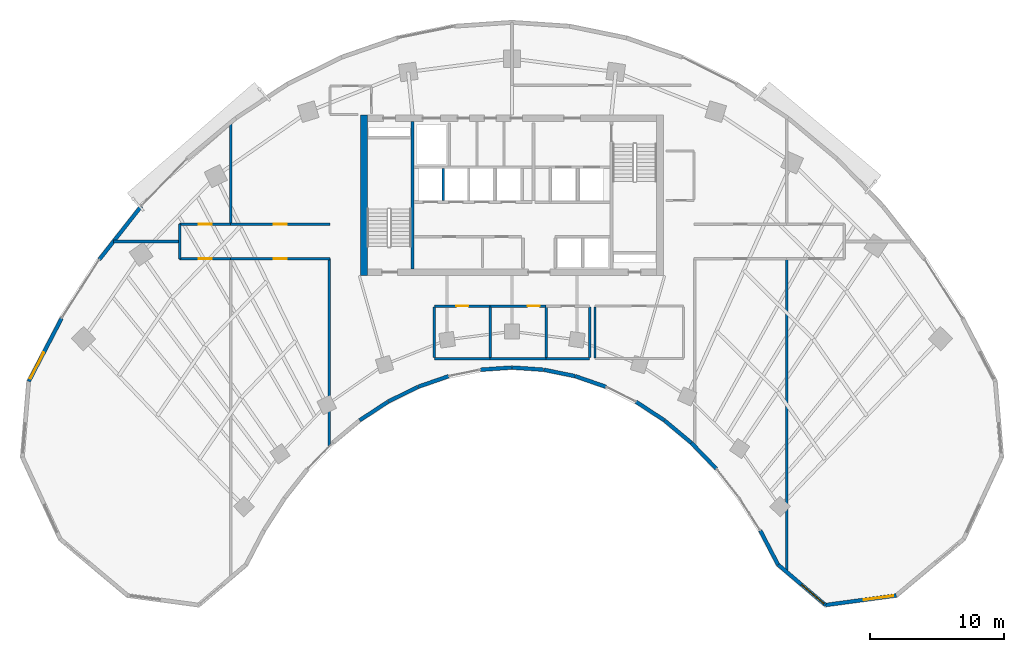
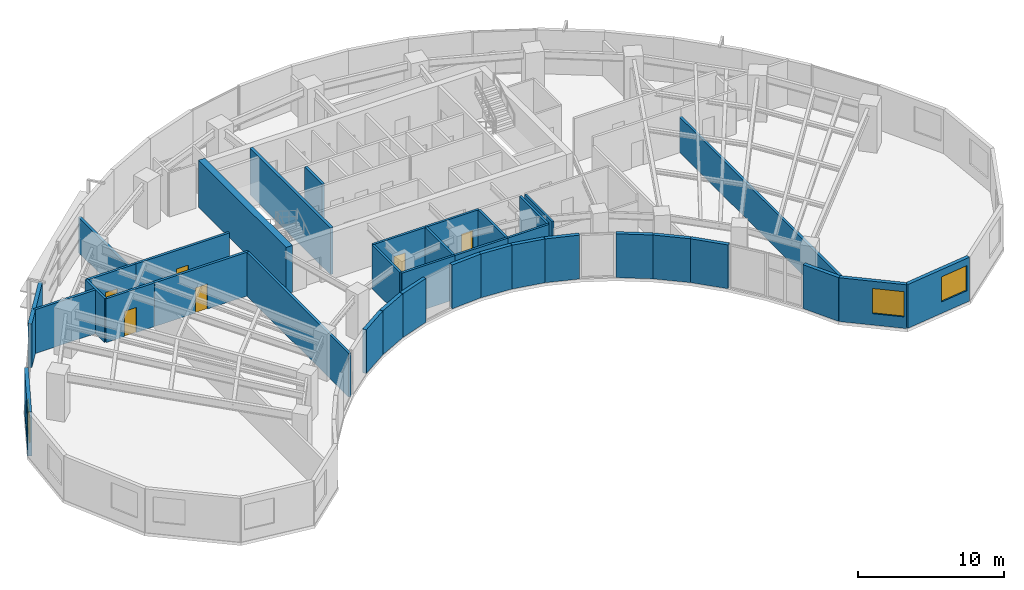
# One storey, part 8 of 14: 37 walls, 6 doors, 3 windows, 9 openings.
"""IFC4 building model written with IfcOpenShell, lengths in metres."""

import ifcopenshell
import ifcopenshell.guid

model = None  # the IFC model being written
_history = None  # IfcOwnerHistory: only IFC2X3 demands one
_inside = {}  # id of a spatial element -> (the spatial element, [elements in it])
_under = {}  # id of a project, library or spatial element -> (it, [spatial elements below it])
_declared = {}  # id of a project -> (the project, [libraries it declares])
_typed = {}  # id of a type object -> (the type object, [elements of that type])
_made_of = {}  # id of a material, layer set ... -> (it, [elements and type objects made of it])


def new_model(schema):
    """Start an empty IFC model of exactly this schema.

    Asked for "IFC4X3", IfcOpenShell would pick the latest addendum, in which some entities
    have other attributes; the version numbers below select the first issue.
    IFC2X3 requires an IfcOwnerHistory on every rooted entity: one is made here for all.
    """
    global model, _history
    if schema == "IFC4X3":
        model = ifcopenshell.file(schema_version=(4, 3, 0, 0))
    else:
        model = ifcopenshell.file(schema=schema)
    _inside.clear()
    _under.clear()
    _declared.clear()
    _typed.clear()
    _made_of.clear()
    _history = None
    if model.schema == "IFC2X3":
        org = make("IfcOrganization", Name="unknown")
        user = make(
            "IfcPersonAndOrganization",
            ThePerson=make("IfcPerson", FamilyName="unknown"),
            TheOrganization=org,
        )
        app = make(
            "IfcApplication",
            ApplicationDeveloper=org,
            Version="unknown",
            ApplicationFullName="unknown",
            ApplicationIdentifier="unknown",
        )
        _history = make(
            "IfcOwnerHistory",
            OwningUser=user,
            OwningApplication=app,
            ChangeAction="ADDED",
            CreationDate=0,
        )
    return model


def make(cls, **values):
    """One entity of the class cls with the attributes given. An attribute that is None is left unset."""
    return model.create_entity(
        cls, **{name: value for name, value in values.items() if value is not None}
    )


def rooted(cls, **values):
    """An entity with a GlobalId (a new one), such as an element, a storey or a relation."""
    return make(cls, GlobalId=ifcopenshell.guid.new(), OwnerHistory=_history, **values)


def si_unit(unit_type, name, prefix=None):
    """IfcSIUnit, for example si_unit("LENGTHUNIT", "METRE", prefix="MILLI")."""
    return make("IfcSIUnit", UnitType=unit_type, Prefix=prefix, Name=name)


def assignment(units):
    """IfcUnitAssignment: the units of a project."""
    return None if units is None else make("IfcUnitAssignment", Units=units)


def point(xyz):
    """IfcCartesianPoint."""
    return None if xyz is None else make("IfcCartesianPoint", Coordinates=xyz)


def direction(xyz):
    """IfcDirection."""
    return None if xyz is None else make("IfcDirection", DirectionRatios=xyz)


def frame(location, z_axis=None, x_axis=None):
    """IfcAxis2Placement3D, a coordinate frame: its origin and axes. An axis left out is left unset."""
    return make(
        "IfcAxis2Placement3D",
        Location=point(location),
        Axis=direction(z_axis),
        RefDirection=direction(x_axis),
    )


def frame_2d(location, x_axis=None):
    """IfcAxis2Placement2D, a coordinate frame in the plane: its origin and x axis."""
    return make(
        "IfcAxis2Placement2D", Location=point(location), RefDirection=direction(x_axis)
    )


def origin():
    """The frame at (0, 0, 0) with its axes left unset."""
    return frame((0.0, 0.0, 0.0))


def place(relative_to, where):
    """IfcLocalPlacement: puts the frame where relative to a parent placement (None: the world)."""
    return make(
        "IfcLocalPlacement", PlacementRelTo=relative_to, RelativePlacement=where
    )


def context(
    kind, dimensions, precision=None, world=None, true_north=None, identifier=None
):
    """IfcGeometricRepresentationContext, for example the 3D "Model" context."""
    return make(
        "IfcGeometricRepresentationContext",
        ContextIdentifier=identifier,
        ContextType=kind,
        CoordinateSpaceDimension=dimensions,
        Precision=precision,
        WorldCoordinateSystem=world,
        TrueNorth=true_north,
    )


def subcontext(parent, identifier, kind, view, scale=None):
    """IfcGeometricRepresentationSubContext, for example "Body" below "Model"."""
    return make(
        "IfcGeometricRepresentationSubContext",
        ContextIdentifier=identifier,
        ContextType=kind,
        ParentContext=parent,
        TargetScale=scale,
        TargetView=view,
    )


def project(units=None, contexts=None):
    """IfcProject with its units and contexts."""
    return rooted(
        "IfcProject",
        Name="project",
        RepresentationContexts=contexts,
        UnitsInContext=assignment(units),
    )


def spatial(cls, under=None, at=None, **own):
    """A site, building, storey or space (cls), placed at a placement, below another one or the project."""
    s = rooted(cls, ObjectPlacement=at, **own)
    if under is not None:
        _under.setdefault(under.id(), (under, []))[1].append(s)
    return s


def profile(cls, at=None, kind="AREA", **sizes):
    """A parametric profile (cls). Its sizes go by their IFC names, for example OverallWidth=200.0."""
    return make(cls, ProfileType=kind, Position=at, **sizes)


def rectangle(**sizes):
    """IfcRectangleProfileDef."""
    return profile("IfcRectangleProfileDef", **sizes)


def extrude(swept, where, along, depth):
    """IfcExtrudedAreaSolid: the profile swept, set in the frame where, extruded along a direction by depth."""
    return make(
        "IfcExtrudedAreaSolid",
        SweptArea=swept,
        Position=where,
        ExtrudedDirection=direction(along),
        Depth=depth,
    )


def shape(context_of_items, identifier, shape_type, items):
    """IfcShapeRepresentation: the items that make up one representation, for example the "Body"."""
    return make(
        "IfcShapeRepresentation",
        ContextOfItems=context_of_items,
        RepresentationIdentifier=identifier,
        RepresentationType=shape_type,
        Items=items,
    )


def source(mapping_origin, context_of_items, identifier, shape_type, items):
    """IfcRepresentationMap: a shape defined once, which mapped items show again and again."""
    return make(
        "IfcRepresentationMap",
        MappingOrigin=mapping_origin,
        MappedRepresentation=shape(context_of_items, identifier, shape_type, items),
    )


def transform(
    local_origin,
    x_axis=None,
    y_axis=None,
    z_axis=None,
    scale=None,
    scale2=None,
    scale3=None,
    uniform=True,
):
    """IfcCartesianTransformationOperator3D, or its non-uniform kind. x_axis, y_axis, z_axis: its Axis1, 2, 3."""
    if uniform:
        return make(
            "IfcCartesianTransformationOperator3D",
            Axis1=direction(x_axis),
            Axis2=direction(y_axis),
            LocalOrigin=point(local_origin),
            Scale=scale,
            Axis3=direction(z_axis),
        )
    return make(
        "IfcCartesianTransformationOperator3DnonUniform",
        Axis1=direction(x_axis),
        Axis2=direction(y_axis),
        LocalOrigin=point(local_origin),
        Scale=scale,
        Axis3=direction(z_axis),
        Scale2=scale2,
        Scale3=scale3,
    )


def mapped(mapping_source, mapping_target):
    """IfcMappedItem: shows the shape of a source again, moved by a transform."""
    return make(
        "IfcMappedItem", MappingSource=mapping_source, MappingTarget=mapping_target
    )


def material(Name=None, Category=None):
    """IfcMaterial."""
    return make("IfcMaterial", Name=Name, Category=Category)


def layer(
    of_material, thickness, ventilated=None, Name=None, Category=None, Priority=None
):
    """IfcMaterialLayer: one layer of a wall or slab, of a material (None: an air gap)."""
    return make(
        "IfcMaterialLayer",
        Material=of_material,
        LayerThickness=thickness,
        IsVentilated=ventilated,
        Name=Name,
        Category=Category,
        Priority=Priority,
    )


def layer_set(layers, Name=None):
    """IfcMaterialLayerSet."""
    return make("IfcMaterialLayerSet", MaterialLayers=layers, LayerSetName=Name)


def made_of(thing, what):
    """Note that an element or type object is made of a material, layer set ...; save() writes the relation."""
    if what is not None:
        _made_of.setdefault(what.id(), (what, []))[1].append(thing)
    return thing


def type_object(cls, material=None, **own):
    """A type object (cls), such as IfcWallType, which elements share."""
    return made_of(rooted(cls, **own), material)


def type_shapes(of_type, sources):
    """Give a type object the sources (RepresentationMaps) that its elements show as mapped items."""
    of_type.RepresentationMaps = sources


def element(
    cls,
    number,
    at=None,
    inside=None,
    cuts=None,
    type_object=None,
    material=None,
    context=None,
    identifier="Body",
    shape_type=None,
    held_by="IfcProductDefinitionShape",
    body=None,
    shapes=None,
    **own,
):
    """One element of the class cls, such as IfcWall. Its Tag is "e" and its number.

    at: its placement. inside: the storey or other place that contains it. cuts: it is an
    opening in that element (IfcRelVoidsElement). A single representation is given by context,
    identifier, shape_type and body (its items); several are given by shapes. held_by: the class
    of the entity that holds the representations. save() writes the other relations.
    """
    e = rooted(cls, Tag="e%d" % number, ObjectPlacement=at, **own)
    if body is not None:
        shapes = [shape(context, identifier, shape_type, body)]
    if shapes is not None:
        e.Representation = make(held_by, Representations=shapes)
    if inside is not None:
        _inside.setdefault(inside.id(), (inside, []))[1].append(e)
    if cuts is not None:
        rooted(
            "IfcRelVoidsElement", RelatingBuildingElement=cuts, RelatedOpeningElement=e
        )
    if type_object is not None:
        _typed.setdefault(type_object.id(), (type_object, []))[1].append(e)
    return made_of(e, material)


def fill(opening, filler):
    """IfcRelFillsElement: the door or window that sits in an opening."""
    return rooted(
        "IfcRelFillsElement",
        RelatingOpeningElement=opening,
        RelatedBuildingElement=filler,
    )


def aggregate(whole, parts):
    """IfcRelAggregates: a whole, such as a stair, and the parts it consists of."""
    return rooted("IfcRelAggregates", RelatingObject=whole, RelatedObjects=parts)


def save(model, path):
    """Write the relations noted so far, then the file.

    IfcRelAggregates (storeys below a building ...), IfcRelContainedInSpatialStructure (elements
    in a storey), IfcRelDefinesByType, IfcRelAssociatesMaterial and IfcRelDeclares: one each for
    every whole, place, type object, material and project.
    """
    for whole, parts in _under.values():
        aggregate(whole, parts)
    for where, things in _inside.values():
        rooted(
            "IfcRelContainedInSpatialStructure",
            RelatedElements=things,
            RelatingStructure=where,
        )
    for kind, things in _typed.values():
        rooted("IfcRelDefinesByType", RelatedObjects=things, RelatingType=kind)
    for what, things in _made_of.values():
        rooted("IfcRelAssociatesMaterial", RelatedObjects=things, RelatingMaterial=what)
    for by, libraries in _declared.values():
        rooted("IfcRelDeclares", RelatingContext=by, RelatedDefinitions=libraries)
    model.write(path)


model = new_model("IFC4")

# Units and contexts
model_context = context("Model", 3, precision=1e-05, world=origin(), true_north=direction((0.0, 1.0)))
body_context = subcontext(model_context, "Body", "Model", "MODEL_VIEW")
ifc_project = project(units=[si_unit("LENGTHUNIT", "METRE"), si_unit("AREAUNIT", "SQUARE_METRE"), si_unit("VOLUMEUNIT", "CUBIC_METRE"), si_unit("PLANEANGLEUNIT", "RADIAN"), si_unit("MASSUNIT", "GRAM", prefix="KILO")], contexts=[model_context])

# Site, building, storey
site_placement = place(None, origin())
site = spatial("IfcSite", under=ifc_project, at=site_placement, CompositionType="ELEMENT")
building_placement = place(site_placement, origin())
building = spatial("IfcBuilding", under=site, at=building_placement, Name="Breltana Convention Tower", CompositionType="ELEMENT")
storey_placement = place(building_placement, frame((0.0, 0.0, 111.60009765625)))
storey = spatial("IfcBuildingStorey", under=building, at=storey_placement, Name="L26", CompositionType="ELEMENT", Elevation=111.60009765625)

# Walls
ifc_material_1 = material(Name="Concrete C60/75", Category="concrete")
ifc_layer_1 = layer(ifc_material_1, 0.5, Name="Concrete C60/75")
ifc_layer_set_1 = layer_set([ifc_layer_1], Name="Concrete C60/75")
wall_type_1 = type_object("IfcWallType", Name="SW-CORE-500", PredefinedType="SHEAR", material=ifc_layer_set_1)
shared_shape_1 = source(origin(), body_context, "Body", "SweptSolid", [
    extrude(rectangle(XDim=12.0, YDim=0.5, at=frame_2d((6.0, 0.0))), origin(), (0.0, 0.0, 1.0), 3.89990234375),
])
wall_1_placement = place(storey_placement, frame((36.949951171875, 60.199951171875, 0.0), z_axis=(0.0, 0.0, 1.0), x_axis=(0.0, 1.0, 0.0)))
element("IfcWall", 1, at=wall_1_placement, inside=storey, type_object=wall_type_1, Name="L26 West Core Shear Wall", PredefinedType="SHEAR", context=body_context, shape_type="MappedRepresentation", body=[
    mapped(shared_shape_1, transform((0.0, 0.0, 0.0), scale=1.0)),
])
ifc_material_2 = material(Name="Concrete C50/60", Category="concrete")
ifc_layer_2 = layer(ifc_material_2, 0.39990234375, Name="Concrete C50/60")
ifc_layer_set_2 = layer_set([ifc_layer_2], Name="Concrete C50/60")
wall_type_2 = type_object("IfcWallType", Name="SW-CORE-400", PredefinedType="SHEAR", material=ifc_layer_set_2)
shared_shape_2 = source(origin(), body_context, "Body", "SweptSolid", [
    extrude(rectangle(XDim=11.0, YDim=0.219970703125, at=frame_2d((5.5, 0.0))), origin(), (0.0, 0.0, 1.0), 3.89990234375),
])
wall_2_placement = place(storey_placement, frame((40.580078125, 60.699951171875, 0.0), z_axis=(0.0, 0.0, 1.0), x_axis=(0.0, 1.0, 0.0)))
element("IfcWall", 2, at=wall_2_placement, inside=storey, type_object=wall_type_2, Name="L26 Core West Stair Spine Wall", PredefinedType="SHEAR", context=body_context, shape_type="MappedRepresentation", body=[
    mapped(shared_shape_2, transform((0.0, 0.0, 0.0), scale=1.0)),
])

# Wall, opening, window
ifc_material_3 = material(Name="Limestone Buff Insulated Wall", Category="masonry")
ifc_layer_3 = layer(ifc_material_3, 0.280029296875, Name="Limestone Buff Insulated Wall")
ifc_layer_set_3 = layer_set([ifc_layer_3], Name="Limestone Buff Insulated Wall")
wall_type_3 = type_object("IfcWallType", Name="WL-EXT-NOSE-280", PredefinedType="SOLIDWALL", material=ifc_layer_set_3)
shared_shape_3 = source(origin(), body_context, "Body", "SweptSolid", [
    extrude(rectangle(XDim=5.32373046875, YDim=0.280029296875, at=frame_2d((2.661865234375, 0.0))), origin(), (0.0, 0.0, 1.0), 3.64990234375),
])
wall_3_placement = place(storey_placement, frame((76.685791015625, 36.321533203125, 0.0), z_axis=(0.0, 0.0, 1.0), x_axis=(-0.990931467223, -0.134368252451, 0.0)))
wall_3 = element("IfcWall", 3, at=wall_3_placement, inside=storey, type_object=wall_type_3, Name="L26 curved limestone nose wall E4", PredefinedType="SOLIDWALL", context=body_context, shape_type="MappedRepresentation", body=[
    mapped(shared_shape_3, transform((0.0, 0.0, 0.0), scale=1.0)),
])
opening_1_placement = place(wall_3_placement, frame((0.23095703125, 0.0, 0.949951171875)))
opening_1 = element("IfcOpeningElement", 4, at=opening_1_placement, cuts=wall_3, Name="Opening W-03", PredefinedType="OPENING", context=body_context, shape_type="SweptSolid", body=[
    extrude(rectangle(XDim=2.199951171875, YDim=2.10009765625, at=frame_2d((1.10009765625, 1.050048828125))), frame((0.0, 0.14990234375, 0.0), z_axis=(0.0, -1.0, 0.0), x_axis=(1.0, 0.0, 0.0)), (0.0, 0.0, 1.0), 0.300048828125),
])
ifc_material_4 = material(Name="Glass Low-E Insulated Window", Category="glass")
window_type = type_object("IfcWindowType", Name="WN-NOSE-2200X2100", PartitioningType="TRIPLE_PANEL_VERTICAL", PredefinedType="WINDOW", material=ifc_material_4)
shared_shape_4 = source(origin(), body_context, "Body", "SweptSolid", [
    extrude(rectangle(XDim=2.199951171875, YDim=2.10009765625, at=frame_2d((1.10009765625, 1.050048828125))), frame((0.0, 0.030029296875, 0.0), z_axis=(0.0, -1.0, 0.0), x_axis=(1.0, 0.0, 0.0)), (0.0, 0.0, 1.0), 0.06005859375),
])
type_shapes(window_type, [shared_shape_4])
window_1_placement = place(opening_1_placement, origin())
window_1 = element("IfcWindow", 5, at=window_1_placement, inside=storey, type_object=window_type, Name="L26 nose window E4", OverallHeight=2.10009765625, OverallWidth=2.199951171875, PartitioningType="TRIPLE_PANEL_VERTICAL", PredefinedType="WINDOW", context=body_context, shape_type="MappedRepresentation", body=[
    mapped(shared_shape_4, transform((0.0, 0.0, 0.0), scale=1.0)),
])
fill(opening_1, window_1)

shared_shape_5 = source(origin(), body_context, "Body", "SweptSolid", [
    extrude(rectangle(XDim=4.6591796875, YDim=0.280029296875, at=frame_2d((2.32958984375, 0.0))), origin(), (0.0, 0.0, 1.0), 3.64990234375),
])
wall_4_placement = place(storey_placement, frame((71.410400390625, 35.606201171875, 0.0), z_axis=(0.0, 0.0, 1.0), x_axis=(-0.761913458795, 0.647678841176, 0.0)))
wall_4 = element("IfcWall", 6, at=wall_4_placement, inside=storey, type_object=wall_type_3, Name="L26 curved limestone nose wall E5", PredefinedType="SOLIDWALL", context=body_context, shape_type="MappedRepresentation", body=[
    mapped(shared_shape_5, transform((0.0, 0.0, 0.0), scale=1.0)),
])
opening_2_placement = place(wall_4_placement, frame((0.159912109375, 0.0, 0.949951171875)))
opening_2 = element("IfcOpeningElement", 7, at=opening_2_placement, cuts=wall_4, Name="Opening W-03", PredefinedType="OPENING", context=body_context, shape_type="SweptSolid", body=[
    extrude(rectangle(XDim=2.199951171875, YDim=2.10009765625, at=frame_2d((1.10009765625, 1.050048828125))), frame((0.0, 0.14990234375, 0.0), z_axis=(0.0, -1.0, 0.0), x_axis=(1.0, 0.0, 0.0)), (0.0, 0.0, 1.0), 0.300048828125),
])
window_2_placement = place(opening_2_placement, origin())
window_2 = element("IfcWindow", 8, at=window_2_placement, inside=storey, type_object=window_type, Name="L26 nose window E5", OverallHeight=2.10009765625, OverallWidth=2.199951171875, PartitioningType="TRIPLE_PANEL_VERTICAL", PredefinedType="WINDOW", context=body_context, shape_type="MappedRepresentation", body=[
    mapped(shared_shape_4, transform((0.0, 0.0, 0.0), scale=1.0)),
])
fill(opening_2, window_2)

# Walls
shared_shape_6 = source(origin(), body_context, "Body", "SweptSolid", [
    extrude(rectangle(XDim=2.8798828125, YDim=0.280029296875, at=frame_2d((1.43994140625, 0.0))), origin(), (0.0, 0.0, 1.0), 3.64990234375),
])
wall_5_placement = place(storey_placement, frame((67.860595703125, 38.623779296875, 0.0), z_axis=(0.0, 0.0, 1.0), x_axis=(-0.461769086658, 0.887000175088, 0.0)))
element("IfcWall", 9, at=wall_5_placement, inside=storey, type_object=wall_type_3, Name="L26 curved limestone nose wall E6", PredefinedType="SOLIDWALL", context=body_context, shape_type="MappedRepresentation", body=[
    mapped(shared_shape_6, transform((0.0, 0.0, 0.0), scale=1.0)),
])
shared_shape_7 = source(origin(), body_context, "Body", "SweptSolid", [
    extrude(rectangle(XDim=2.679931640625, YDim=0.280029296875, at=frame_2d((1.33984375, 0.0))), origin(), (0.0, 0.0, 1.0), 3.64990234375),
])
wall_6_placement = place(storey_placement, frame((63.260009765625, 45.780029296875, 0.0), z_axis=(0.0, 0.0, 1.0), x_axis=(-0.694561996568, 0.719432855049, 0.0)))
element("IfcWall", 10, at=wall_6_placement, inside=storey, type_object=wall_type_3, Name="L26 curved limestone nose wall E7", PredefinedType="SOLIDWALL", context=body_context, shape_type="MappedRepresentation", body=[
    mapped(shared_shape_7, transform((0.0, 0.0, 0.0), scale=1.0)),
])
shared_shape_8 = source(origin(), body_context, "Body", "SweptSolid", [
    extrude(rectangle(XDim=2.600830078125, YDim=0.280029296875, at=frame_2d((1.30029296875, 0.0))), origin(), (0.0, 0.0, 1.0), 3.64990234375),
])
wall_7_placement = place(storey_placement, frame((61.384521484375, 47.72119140625, 0.0), z_axis=(0.0, 0.0, 1.0), x_axis=(-0.76796730295, 0.640489048775, 0.0)))
element("IfcWall", 11, at=wall_7_placement, inside=storey, type_object=wall_type_3, Name="L26 curved limestone nose wall E8", PredefinedType="SOLIDWALL", context=body_context, shape_type="MappedRepresentation", body=[
    mapped(shared_shape_8, transform((0.0, 0.0, 0.0), scale=1.0)),
])
shared_shape_9 = source(origin(), body_context, "Body", "SweptSolid", [
    extrude(rectangle(XDim=2.46240234375, YDim=0.280029296875, at=frame_2d((1.231201171875, 0.0))), origin(), (0.0, 0.0, 1.0), 3.64990234375),
])
wall_8_placement = place(storey_placement, frame((40.96728515625, 51.890625, 0.0), z_axis=(0.0, 0.0, 1.0), x_axis=(-0.8959882207, -0.444077817917, 0.0)))
element("IfcWall", 12, at=wall_8_placement, inside=storey, type_object=wall_type_3, Name="L26 curved limestone nose wall E15", PredefinedType="SOLIDWALL", context=body_context, shape_type="MappedRepresentation", body=[
    mapped(shared_shape_9, transform((0.0, 0.0, 0.0), scale=1.0)),
])
shared_shape_10 = source(origin(), body_context, "Body", "SweptSolid", [
    extrude(rectangle(XDim=2.41064453125, YDim=0.280029296875, at=frame_2d((1.205322265625, 0.0))), origin(), (0.0, 0.0, 1.0), 3.64990234375),
])
for number, where, z_axis, x_axis, name in (
    (13, (55.01171875, 51.8994140625, 0.0), (0.0, 0.0, 1.0), (-0.944880068161, 0.327416640982, 0.0), "L26 curved limestone nose wall E10"),
    (14, (43.26611328125, 52.688720703125, 0.0), (0.0, 0.0, 1.0), (-0.944880068161, -0.327416640982, 0.0), "L26 curved limestone nose wall E14"),
):
    element("IfcWall", number, at=place(storey_placement, frame(where, z_axis=z_axis, x_axis=x_axis)), inside=storey, type_object=wall_type_3, Name=name, PredefinedType="SOLIDWALL", context=body_context, shape_type="MappedRepresentation", body=[
        mapped(shared_shape_10, transform((0.0, 0.0, 0.0), scale=1.0)),
    ])
shared_shape_11 = source(origin(), body_context, "Body", "SweptSolid", [
    extrude(rectangle(XDim=2.373779296875, YDim=0.280029296875, at=frame_2d((1.18701171875, 0.0))), origin(), (0.0, 0.0, 1.0), 3.64990234375),
])
wall_9_placement = place(storey_placement, frame((52.711181640625, 52.695068359375, 0.0), z_axis=(0.0, 0.0, 1.0), x_axis=(-0.979619827472, 0.200860632341, 0.0)))
element("IfcWall", 15, at=wall_9_placement, inside=storey, type_object=wall_type_3, Name="L26 curved limestone nose wall E11", PredefinedType="SOLIDWALL", context=body_context, shape_type="MappedRepresentation", body=[
    mapped(shared_shape_11, transform((0.0, 0.0, 0.0), scale=1.0)),
])
shared_shape_12 = source(origin(), body_context, "Body", "SweptSolid", [
    extrude(rectangle(XDim=2.35498046875, YDim=0.280029296875, at=frame_2d((1.177490234375, 0.0))), origin(), (0.0, 0.0, 1.0), 3.64990234375),
])
for number, where, z_axis, x_axis, name in (
    (16, (50.36181640625, 53.175048828125, 0.0), (0.0, 0.0, 1.0), (-0.997699017577, 0.067798748701, 0.0), "L26 curved limestone nose wall E12"),
    (17, (47.98779296875, 53.334716796875, 0.0), (0.0, 0.0, 1.0), (-0.997699017577, -0.067798748701, 0.0), "L26 curved limestone nose wall E13"),
):
    element("IfcWall", number, at=place(storey_placement, frame(where, z_axis=z_axis, x_axis=x_axis)), inside=storey, type_object=wall_type_3, Name=name, PredefinedType="SOLIDWALL", context=body_context, shape_type="MappedRepresentation", body=[
        mapped(shared_shape_12, transform((0.0, 0.0, 0.0), scale=1.0)),
    ])
shared_shape_13 = source(origin(), body_context, "Body", "SweptSolid", [
    extrude(rectangle(XDim=2.52734375, YDim=0.280029296875, at=frame_2d((1.263671875, 0.0))), origin(), (0.0, 0.0, 1.0), 3.64990234375),
])
for number, where, z_axis, x_axis, name in (
    (18, (59.37060546875, 49.3994140625, 0.0), (0.0, 0.0, 1.0), (-0.836011905051, 0.548711303523, 0.0), "L26 curved limestone nose wall E9"),
    (19, (38.7421875, 50.7861328125, 0.0), (0.0, 0.0, 1.0), (-0.836011905051, -0.548711303523, 0.0), "L26 curved limestone nose wall E16"),
):
    element("IfcWall", number, at=place(storey_placement, frame(where, z_axis=z_axis, x_axis=x_axis)), inside=storey, type_object=wall_type_3, Name=name, PredefinedType="SOLIDWALL", context=body_context, shape_type="MappedRepresentation", body=[
        mapped(shared_shape_13, transform((0.0, 0.0, 0.0), scale=1.0)),
    ])

# Wall, opening, window
shared_shape_14 = source(origin(), body_context, "Body", "SweptSolid", [
    extrude(rectangle(XDim=5.315185546875, YDim=0.280029296875, at=frame_2d((2.65771484375, 0.0))), origin(), (0.0, 0.0, 1.0), 3.64990234375),
])
wall_10_placement = place(storey_placement, frame((11.92236328125, 52.305419921875, 0.0), z_axis=(0.0, 0.0, 1.0), x_axis=(0.461760527822, 0.887004630735, 0.0)))
wall_10 = element("IfcWall", 20, at=wall_10_placement, inside=storey, type_object=wall_type_3, Name="L26 curved limestone nose wall W7", PredefinedType="SOLIDWALL", context=body_context, shape_type="MappedRepresentation", body=[
    mapped(shared_shape_14, transform((0.0, 0.0, 0.0), scale=1.0)),
])
opening_3_placement = place(wall_10_placement, frame((0.228759765625, 0.0, 0.949951171875)))
opening_3 = element("IfcOpeningElement", 21, at=opening_3_placement, cuts=wall_10, Name="Opening W-03", PredefinedType="OPENING", context=body_context, shape_type="SweptSolid", body=[
    extrude(rectangle(XDim=2.199951171875, YDim=2.10009765625, at=frame_2d((1.10009765625, 1.050048828125))), frame((0.0, 0.14990234375, 0.0), z_axis=(0.0, -1.0, 0.0), x_axis=(1.0, 0.0, 0.0)), (0.0, 0.0, 1.0), 0.300048828125),
])
window_3_placement = place(opening_3_placement, origin())
window_3 = element("IfcWindow", 22, at=window_3_placement, inside=storey, type_object=window_type, Name="L26 nose window W7", OverallHeight=2.10009765625, OverallWidth=2.199951171875, PartitioningType="TRIPLE_PANEL_VERTICAL", PredefinedType="WINDOW", context=body_context, shape_type="MappedRepresentation", body=[
    mapped(shared_shape_4, transform((0.0, 0.0, 0.0), scale=1.0)),
])
fill(opening_3, window_3)

# Walls
shared_shape_15 = source(origin(), body_context, "Body", "SweptSolid", [
    extrude(rectangle(XDim=5.05810546875, YDim=0.280029296875, at=frame_2d((2.529052734375, 0.0))), origin(), (0.0, 0.0, 1.0), 3.64990234375),
])
wall_11_placement = place(storey_placement, frame((17.1884765625, 61.400390625, 0.0), z_axis=(0.0, 0.0, 1.0), x_axis=(0.618145507434, 0.786063694391, 0.0)))
element("IfcWall", 23, at=wall_11_placement, inside=storey, type_object=wall_type_3, Name="L26 curved limestone nose wall E20", PredefinedType="SOLIDWALL", context=body_context, shape_type="MappedRepresentation", body=[
    mapped(shared_shape_15, transform((0.0, 0.0, 0.0), scale=1.0)),
])
ifc_material_5 = material(Name="Autoclaved Aerated Concrete Block", Category="concrete")
ifc_layer_4 = layer(ifc_material_5, 0.199951171875, Name="Autoclaved Aerated Concrete Block")
ifc_layer_set_4 = layer_set([ifc_layer_4], Name="Autoclaved Aerated Concrete Block")
wall_type_4 = type_object("IfcWallType", Name="WL-SHAFT-200", PredefinedType="SOLIDWALL", material=ifc_layer_set_4)
shared_shape_16 = source(origin(), body_context, "Body", "SweptSolid", [
    extrude(rectangle(XDim=2.39990234375, YDim=0.199951171875, at=frame_2d((1.199951171875, 0.0))), origin(), (0.0, 0.0, 1.0), 3.64990234375),
])
wall_12_placement = place(storey_placement, frame((42.8701171875, 65.800048828125, 0.0), z_axis=(0.0, 0.0, 1.0), x_axis=(0.0, 1.0, 0.0)))
element("IfcWall", 24, at=wall_12_placement, inside=storey, type_object=wall_type_4, Name="L26 interior partition W-L26-SH-M-DIV1", PredefinedType="SOLIDWALL", context=body_context, shape_type="MappedRepresentation", body=[
    mapped(shared_shape_16, transform((0.0, 0.0, 0.0), scale=1.0)),
])
ifc_material_6 = material(Name="Cement Board Wet-Area Partition")
ifc_layer_5 = layer(ifc_material_6, 0.175048828125, Name="Cement Board Wet-Area Partition")
ifc_layer_set_5 = layer_set([ifc_layer_5], Name="Cement Board Wet-Area Partition")
wall_type_5 = type_object("IfcWallType", Name="WL-WET-175", PredefinedType="PARTITIONING", material=ifc_layer_set_5)
shared_shape_17 = source(origin(), body_context, "Body", "SweptSolid", [
    extrude(rectangle(XDim=4.176025390625, YDim=0.175048828125, at=frame_2d((2.087890625, 0.0))), origin(), (0.0, 0.0, 1.0), 3.64990234375),
])
for number, where, z_axis, x_axis, name in (
    (25, (42.199951171875, 54.0, 0.0), (0.0, 0.0, 1.0), (1.0, 0.0, 0.0), "L26 interior partition W-L26-WCM-S"),
    (26, (46.3759765625, 54.0, 0.0), (0.0, 0.0, 1.0), (1.0, 0.0, 0.0), "L26 interior partition W-L26-WCF-S"),
):
    element("IfcWall", number, at=place(storey_placement, frame(where, z_axis=z_axis, x_axis=x_axis)), inside=storey, type_object=wall_type_5, Name=name, PredefinedType="PARTITIONING", context=body_context, shape_type="MappedRepresentation", body=[
        mapped(shared_shape_17, transform((0.0, 0.0, 0.0), scale=1.0)),
    ])

# Wall, opening, door
ifc_material_7 = material(Name="Moisture-Resistant Gypsum Chase Wall")
ifc_layer_6 = layer(ifc_material_7, 0.179931640625, Name="Moisture-Resistant Gypsum Chase Wall")
ifc_layer_set_6 = layer_set([ifc_layer_6], Name="Moisture-Resistant Gypsum Chase Wall")
wall_type_6 = type_object("IfcWallType", Name="WL-PLUMB-180", PredefinedType="PLUMBINGWALL", material=ifc_layer_set_6)
shared_shape_18 = source(origin(), body_context, "Body", "SweptSolid", [
    extrude(rectangle(XDim=4.176025390625, YDim=0.179931640625, at=frame_2d((2.087890625, 0.0))), origin(), (0.0, 0.0, 1.0), 3.64990234375),
])
wall_13_placement = place(storey_placement, frame((42.199951171875, 57.919921875, 0.0), z_axis=(0.0, 0.0, 1.0), x_axis=(1.0, 0.0, 0.0)))
wall_13 = element("IfcWall", 27, at=wall_13_placement, inside=storey, type_object=wall_type_6, Name="L26 interior partition W-L26-WCM-N", PredefinedType="PLUMBINGWALL", context=body_context, shape_type="MappedRepresentation", body=[
    mapped(shared_shape_18, transform((0.0, 0.0, 0.0), scale=1.0)),
])
opening_4_placement = place(wall_13_placement, frame((1.637939453125, 0.0, 0.0)))
opening_4 = element("IfcOpeningElement", 28, at=opening_4_placement, cuts=wall_13, Name="Opening D-19", PredefinedType="OPENING", context=body_context, shape_type="SweptSolid", body=[
    extrude(rectangle(XDim=0.89990234375, YDim=2.080078125, at=frame_2d((0.449951171875, 1.0400390625))), frame((0.0, 0.10009765625, 0.0), z_axis=(0.0, -1.0, 0.0), x_axis=(1.0, 0.0, 0.0)), (0.0, 0.0, 1.0), 0.199951171875),
])
ifc_material_8 = material(Name="Timber Moisture-Resistant Door", Category="wood")
door_type_1 = type_object("IfcDoorType", Name="DR-WC-900", OperationType="NOTDEFINED", PredefinedType="DOOR", material=ifc_material_8)
shared_shape_19 = source(origin(), body_context, "Body", "SweptSolid", [
    extrude(rectangle(XDim=0.89990234375, YDim=2.080078125, at=frame_2d((0.449951171875, 1.0400390625))), frame((0.0, 0.02490234375, 0.0), z_axis=(0.0, -1.0, 0.0), x_axis=(1.0, 0.0, 0.0)), (0.0, 0.0, 1.0), 0.050048828125),
])
type_shapes(door_type_1, [shared_shape_19])
door_1_placement = place(opening_4_placement, origin())
door_1 = element("IfcDoor", 29, at=door_1_placement, inside=storey, type_object=door_type_1, Name="L26 interior door D-L26-WCM", OperationType="SINGLE_SWING_LEFT", OverallHeight=2.080078125, OverallWidth=0.89990234375, PredefinedType="DOOR", context=body_context, shape_type="MappedRepresentation", body=[
    mapped(shared_shape_19, transform((0.0, 0.0, 0.0), scale=1.0)),
])
fill(opening_4, door_1)

wall_14_placement = place(storey_placement, frame((46.3759765625, 57.919921875, 0.0), z_axis=(0.0, 0.0, 1.0), x_axis=(1.0, 0.0, 0.0)))
wall_14 = element("IfcWall", 30, at=wall_14_placement, inside=storey, type_object=wall_type_6, Name="L26 interior partition W-L26-WCF-N", PredefinedType="PLUMBINGWALL", context=body_context, shape_type="MappedRepresentation", body=[
    mapped(shared_shape_18, transform((0.0, 0.0, 0.0), scale=1.0)),
])
opening_5_placement = place(wall_14_placement, frame((2.7880859375, 0.0, 0.0)))
opening_5 = element("IfcOpeningElement", 31, at=opening_5_placement, cuts=wall_14, Name="Opening D-19", PredefinedType="OPENING", context=body_context, shape_type="SweptSolid", body=[
    extrude(rectangle(XDim=0.89990234375, YDim=2.080078125, at=frame_2d((0.449951171875, 1.0400390625))), frame((0.0, 0.10009765625, 0.0), z_axis=(0.0, -1.0, 0.0), x_axis=(1.0, 0.0, 0.0)), (0.0, 0.0, 1.0), 0.199951171875),
])
door_2_placement = place(opening_5_placement, origin())
door_2 = element("IfcDoor", 32, at=door_2_placement, inside=storey, type_object=door_type_1, Name="L26 interior door D-L26-WCF", OperationType="SINGLE_SWING_RIGHT", OverallHeight=2.080078125, OverallWidth=0.89990234375, PredefinedType="DOOR", context=body_context, shape_type="MappedRepresentation", body=[
    mapped(shared_shape_19, transform((0.0, 0.0, 0.0), scale=1.0)),
])
fill(opening_5, door_2)

# Walls
shared_shape_20 = source(origin(), body_context, "Body", "SweptSolid", [
    extrude(rectangle(XDim=3.7626953125, YDim=0.175048828125, at=frame_2d((1.88134765625, 0.0))), origin(), (0.0, 0.0, 1.0), 3.64990234375),
])
for number, where, z_axis, x_axis, name in (
    (33, (42.199951171875, 54.07861328125, 0.0), (0.0, 0.0, 1.0), (0.0, 1.0, 0.0), "L26 interior partition W-L26-WCM-W"),
    (34, (46.3759765625, 54.07861328125, 0.0), (0.0, 0.0, 1.0), (0.0, 1.0, 0.0), "L26 interior partition W-L26-WCM-E"),
    (35, (50.552001953125, 54.07861328125, 0.0), (0.0, 0.0, 1.0), (0.0, 1.0, 0.0), "L26 interior partition W-L26-WCF-E"),
    (36, (53.800048828125, 54.07861328125, 0.0), (0.0, 0.0, 1.0), (0.0, 1.0, 0.0), "L26 interior partition W-L26-WCA-E"),
):
    element("IfcWall", number, at=place(storey_placement, frame(where, z_axis=z_axis, x_axis=x_axis)), inside=storey, type_object=wall_type_5, Name=name, PredefinedType="PARTITIONING", context=body_context, shape_type="MappedRepresentation", body=[
        mapped(shared_shape_20, transform((0.0, 0.0, 0.0), scale=1.0)),
    ])
shared_shape_21 = source(origin(), body_context, "Body", "SweptSolid", [
    extrude(rectangle(XDim=3.248046875, YDim=0.175048828125, at=frame_2d((1.6240234375, 0.0))), origin(), (0.0, 0.0, 1.0), 3.64990234375),
])
wall_15_placement = place(storey_placement, frame((50.552001953125, 54.0, 0.0), z_axis=(0.0, 0.0, 1.0), x_axis=(1.0, 0.0, 0.0)))
element("IfcWall", 37, at=wall_15_placement, inside=storey, type_object=wall_type_5, Name="L26 interior partition W-L26-WCA-S", PredefinedType="PARTITIONING", context=body_context, shape_type="MappedRepresentation", body=[
    mapped(shared_shape_21, transform((0.0, 0.0, 0.0), scale=1.0)),
])
ifc_material_9 = material(Name="Gypsum Acoustic Drywall Partition")
ifc_layer_7 = layer(ifc_material_9, 0.14990234375, Name="Gypsum Acoustic Drywall Partition")
ifc_layer_set_7 = layer_set([ifc_layer_7], Name="Gypsum Acoustic Drywall Partition")
wall_type_7 = type_object("IfcWallType", Name="WL-PART-150", PredefinedType="PARTITIONING", material=ifc_layer_set_7)
shared_shape_22 = source(origin(), body_context, "Body", "SweptSolid", [
    extrude(rectangle(XDim=3.78515625, YDim=0.14990234375, at=frame_2d((1.892578125, 0.0))), origin(), (0.0, 0.0, 1.0), 3.64990234375),
])
wall_16_placement = place(storey_placement, frame((54.199951171875, 54.0673828125, 0.0), z_axis=(0.0, 0.0, 1.0), x_axis=(0.0, 1.0, 0.0)))
element("IfcWall", 38, at=wall_16_placement, inside=storey, type_object=wall_type_7, Name="L26 interior partition W-L26-PNT-W", PredefinedType="PARTITIONING", context=body_context, shape_type="MappedRepresentation", body=[
    mapped(shared_shape_22, transform((0.0, 0.0, 0.0), scale=1.0)),
])

# Wall, opening, door
ifc_material_10 = material(Name="Gypsum Acoustic Hotel Wall")
ifc_layer_8 = layer(ifc_material_10, 0.195068359375, Name="Gypsum Acoustic Hotel Wall")
ifc_layer_set_8 = layer_set([ifc_layer_8], Name="Gypsum Acoustic Hotel Wall")
wall_type_8 = type_object("IfcWallType", Name="WL-HOTEL-200", PredefinedType="PARTITIONING", material=ifc_layer_set_8)
shared_shape_23 = source(origin(), body_context, "Body", "SweptSolid", [
    extrude(rectangle(XDim=3.820068359375, YDim=0.195068359375, at=frame_2d((1.91015625, 0.0))), origin(), (0.0, 0.0, 1.0), 3.64990234375),
])
wall_17_placement = place(storey_placement, frame((23.179931640625, 64.0400390625, 0.0), z_axis=(0.0, 0.0, 1.0), x_axis=(1.0, 0.0, 0.0)))
wall_17 = element("IfcWall", 39, at=wall_17_placement, inside=storey, type_object=wall_type_8, Name="L26 interior partition W-L26-ZWN1-D", PredefinedType="PARTITIONING", context=body_context, shape_type="MappedRepresentation", body=[
    mapped(shared_shape_23, transform((0.0, 0.0, 0.0), scale=1.0)),
])
opening_6_placement = place(wall_17_placement, frame((1.43505859375, 0.0, 0.0)))
opening_6 = element("IfcOpeningElement", 40, at=opening_6_placement, cuts=wall_17, Name="Opening D-17", PredefinedType="OPENING", context=body_context, shape_type="SweptSolid", body=[
    extrude(rectangle(XDim=0.949951171875, YDim=2.10009765625, at=frame_2d((0.47509765625, 1.050048828125))), frame((0.0, 0.107421875, 0.0), z_axis=(0.0, -1.0, 0.0), x_axis=(1.0, 0.0, 0.0)), (0.0, 0.0, 1.0), 0.215087890625),
])
ifc_material_11 = material(Name="Timber Oak Veneer Door", Category="wood")
door_type_2 = type_object("IfcDoorType", Name="DR-INT-950", OperationType="NOTDEFINED", PredefinedType="DOOR", material=ifc_material_11)
shared_shape_24 = source(origin(), body_context, "Body", "SweptSolid", [
    extrude(rectangle(XDim=0.949951171875, YDim=2.10009765625, at=frame_2d((0.47509765625, 1.050048828125))), frame((0.0, 0.02490234375, 0.0), z_axis=(0.0, -1.0, 0.0), x_axis=(1.0, 0.0, 0.0)), (0.0, 0.0, 1.0), 0.050048828125),
])
type_shapes(door_type_2, [shared_shape_24])
door_3_placement = place(opening_6_placement, origin())
door_3 = element("IfcDoor", 41, at=door_3_placement, inside=storey, type_object=door_type_2, Name="L26 interior door D-L26-ZWN1", OperationType="SINGLE_SWING_LEFT", OverallHeight=2.10009765625, OverallWidth=0.949951171875, PredefinedType="DOOR", context=body_context, shape_type="MappedRepresentation", body=[
    mapped(shared_shape_24, transform((0.0, 0.0, 0.0), scale=1.0)),
])
fill(opening_6, door_3)

wall_18_placement = place(storey_placement, frame((23.179931640625, 61.4599609375, 0.0), z_axis=(0.0, 0.0, 1.0), x_axis=(1.0, 0.0, 0.0)))
wall_18 = element("IfcWall", 42, at=wall_18_placement, inside=storey, type_object=wall_type_8, Name="L26 interior partition W-L26-ZWS1-D", PredefinedType="PARTITIONING", context=body_context, shape_type="MappedRepresentation", body=[
    mapped(shared_shape_23, transform((0.0, 0.0, 0.0), scale=1.0)),
])
opening_7_placement = place(wall_18_placement, frame((1.43505859375, 0.0, 0.0)))
opening_7 = element("IfcOpeningElement", 43, at=opening_7_placement, cuts=wall_18, Name="Opening D-17", PredefinedType="OPENING", context=body_context, shape_type="SweptSolid", body=[
    extrude(rectangle(XDim=0.949951171875, YDim=2.10009765625, at=frame_2d((0.47509765625, 1.050048828125))), frame((0.0, 0.107421875, 0.0), z_axis=(0.0, -1.0, 0.0), x_axis=(1.0, 0.0, 0.0)), (0.0, 0.0, 1.0), 0.215087890625),
])
door_4_placement = place(opening_7_placement, origin())
door_4 = element("IfcDoor", 44, at=door_4_placement, inside=storey, type_object=door_type_2, Name="L26 interior door D-L26-ZWS1", OperationType="SINGLE_SWING_LEFT", OverallHeight=2.10009765625, OverallWidth=0.949951171875, PredefinedType="DOOR", context=body_context, shape_type="MappedRepresentation", body=[
    mapped(shared_shape_24, transform((0.0, 0.0, 0.0), scale=1.0)),
])
fill(opening_7, door_4)

# Wall
shared_shape_25 = source(origin(), body_context, "Body", "SweptSolid", [
    extrude(rectangle(XDim=7.566162109375, YDim=0.195068359375, at=frame_2d((3.783203125, 0.0))), origin(), (0.0, 0.0, 1.0), 2.94189453125),
])
wall_19_placement = place(storey_placement, frame((27.0, 64.06005859375, 0.0), z_axis=(0.0, 0.0, 1.0), x_axis=(0.0, 1.0, 0.0)))
element("IfcWall", 45, at=wall_19_placement, inside=storey, type_object=wall_type_8, Name="L26 interior partition W-L26-ZWN1-E", PredefinedType="PARTITIONING", context=body_context, shape_type="MappedRepresentation", body=[
    mapped(shared_shape_25, transform((0.0, 0.0, 0.0), scale=1.0)),
])

# Wall, opening, door
shared_shape_26 = source(origin(), body_context, "Body", "SweptSolid", [
    extrude(rectangle(XDim=7.39990234375, YDim=0.195068359375, at=frame_2d((3.699951171875, 0.0))), origin(), (0.0, 0.0, 1.0), 3.64990234375),
])
wall_20_placement = place(storey_placement, frame((27.0, 64.0400390625, 0.0), z_axis=(0.0, 0.0, 1.0), x_axis=(1.0, 0.0, 0.0)))
wall_20 = element("IfcWall", 46, at=wall_20_placement, inside=storey, type_object=wall_type_8, Name="L26 interior partition W-L26-ZWN2-D", PredefinedType="PARTITIONING", context=body_context, shape_type="MappedRepresentation", body=[
    mapped(shared_shape_26, transform((0.0, 0.0, 0.0), scale=1.0)),
])
opening_8_placement = place(wall_20_placement, frame((3.22509765625, 0.0, 0.0)))
opening_8 = element("IfcOpeningElement", 47, at=opening_8_placement, cuts=wall_20, Name="Opening D-17", PredefinedType="OPENING", context=body_context, shape_type="SweptSolid", body=[
    extrude(rectangle(XDim=0.949951171875, YDim=2.10009765625, at=frame_2d((0.47509765625, 1.050048828125))), frame((0.0, 0.107421875, 0.0), z_axis=(0.0, -1.0, 0.0), x_axis=(1.0, 0.0, 0.0)), (0.0, 0.0, 1.0), 0.215087890625),
])
door_5_placement = place(opening_8_placement, origin())
door_5 = element("IfcDoor", 48, at=door_5_placement, inside=storey, type_object=door_type_2, Name="L26 interior door D-L26-ZWN2", OperationType="SINGLE_SWING_RIGHT", OverallHeight=2.10009765625, OverallWidth=0.949951171875, PredefinedType="DOOR", context=body_context, shape_type="MappedRepresentation", body=[
    mapped(shared_shape_24, transform((0.0, 0.0, 0.0), scale=1.0)),
])
fill(opening_8, door_5)

wall_21_placement = place(storey_placement, frame((27.0, 61.4599609375, 0.0), z_axis=(0.0, 0.0, 1.0), x_axis=(1.0, 0.0, 0.0)))
wall_21 = element("IfcWall", 49, at=wall_21_placement, inside=storey, type_object=wall_type_8, Name="L26 interior partition W-L26-ZWS2-D", PredefinedType="PARTITIONING", context=body_context, shape_type="MappedRepresentation", body=[
    mapped(shared_shape_26, transform((0.0, 0.0, 0.0), scale=1.0)),
])
opening_9_placement = place(wall_21_placement, frame((3.22509765625, 0.0, 0.0)))
opening_9 = element("IfcOpeningElement", 50, at=opening_9_placement, cuts=wall_21, Name="Opening D-17", PredefinedType="OPENING", context=body_context, shape_type="SweptSolid", body=[
    extrude(rectangle(XDim=0.949951171875, YDim=2.10009765625, at=frame_2d((0.47509765625, 1.050048828125))), frame((0.0, 0.107421875, 0.0), z_axis=(0.0, -1.0, 0.0), x_axis=(1.0, 0.0, 0.0)), (0.0, 0.0, 1.0), 0.215087890625),
])
door_6_placement = place(opening_9_placement, origin())
door_6 = element("IfcDoor", 51, at=door_6_placement, inside=storey, type_object=door_type_2, Name="L26 interior door D-L26-ZWS2", OperationType="SINGLE_SWING_RIGHT", OverallHeight=2.10009765625, OverallWidth=0.949951171875, PredefinedType="DOOR", context=body_context, shape_type="MappedRepresentation", body=[
    mapped(shared_shape_24, transform((0.0, 0.0, 0.0), scale=1.0)),
])
fill(opening_9, door_6)

# Walls
shared_shape_27 = source(origin(), body_context, "Body", "SweptSolid", [
    extrude(rectangle(XDim=13.987548828125, YDim=0.195068359375, at=frame_2d((6.99365234375, 0.0))), origin(), (0.0, 0.0, 1.0), 3.64990234375),
])
wall_22_placement = place(storey_placement, frame((34.360107421875, 47.472412109375, 0.0), z_axis=(0.0, 0.0, 1.0), x_axis=(0.0, 1.0, 0.0)))
element("IfcWall", 52, at=wall_22_placement, inside=storey, type_object=wall_type_8, Name="L26 interior partition W-L26-ZODD-WC", PredefinedType="PARTITIONING", context=body_context, shape_type="MappedRepresentation", body=[
    mapped(shared_shape_27, transform((0.0, 0.0, 0.0), scale=1.0)),
])
shared_shape_28 = source(origin(), body_context, "Body", "SweptSolid", [
    extrude(rectangle(XDim=23.346435546875, YDim=0.195068359375, at=frame_2d((11.67333984375, 0.0))), origin(), (0.0, 0.0, 1.0), 2.94189453125),
])
wall_23_placement = place(storey_placement, frame((68.5, 38.093505859375, 0.0), z_axis=(0.0, 0.0, 1.0), x_axis=(0.0, 1.0, 0.0)))
element("IfcWall", 53, at=wall_23_placement, inside=storey, type_object=wall_type_8, Name="L26 interior partition W-L26-ZES1-E", PredefinedType="PARTITIONING", context=body_context, shape_type="MappedRepresentation", body=[
    mapped(shared_shape_28, transform((0.0, 0.0, 0.0), scale=1.0)),
])
shared_shape_29 = source(origin(), body_context, "Body", "SweptSolid", [
    extrude(rectangle(XDim=2.6201171875, YDim=0.195068359375, at=frame_2d((1.31005859375, 0.0))), origin(), (0.0, 0.0, 1.0), 3.64990234375),
])
wall_24_placement = place(storey_placement, frame((23.179931640625, 61.43994140625, 0.0), z_axis=(0.0, 0.0, 1.0), x_axis=(0.0, 1.0, 0.0)))
element("IfcWall", 54, at=wall_24_placement, inside=storey, type_object=wall_type_8, Name="L26 interior partition W-L26-ZFW-CAP", PredefinedType="PARTITIONING", context=body_context, shape_type="MappedRepresentation", body=[
    mapped(shared_shape_29, transform((0.0, 0.0, 0.0), scale=1.0)),
])
shared_shape_30 = source(origin(), body_context, "Body", "SweptSolid", [
    extrude(rectangle(XDim=4.91748046875, YDim=0.195068359375, at=frame_2d((2.458740234375, 0.0))), origin(), (0.0, 0.0, 1.0), 3.64990234375),
])
wall_25_placement = place(storey_placement, frame((18.262451171875, 62.75, 0.0), z_axis=(0.0, 0.0, 1.0), x_axis=(1.0, 0.0, 0.0)))
element("IfcWall", 55, at=wall_25_placement, inside=storey, type_object=wall_type_8, Name="L26 interior partition W-L26-ZFW-EXT", PredefinedType="PARTITIONING", context=body_context, shape_type="MappedRepresentation", body=[
    mapped(shared_shape_30, transform((0.0, 0.0, 0.0), scale=1.0)),
])

save(model, "model.ifc")
